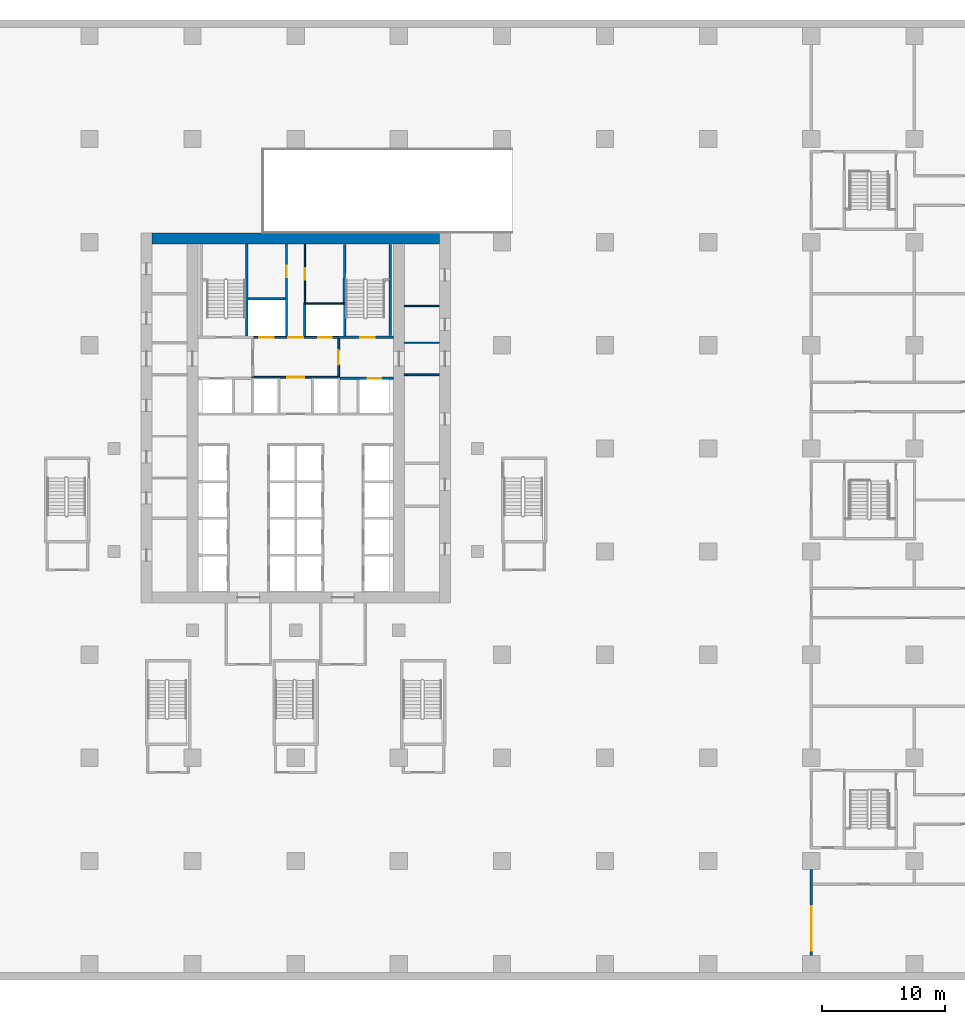
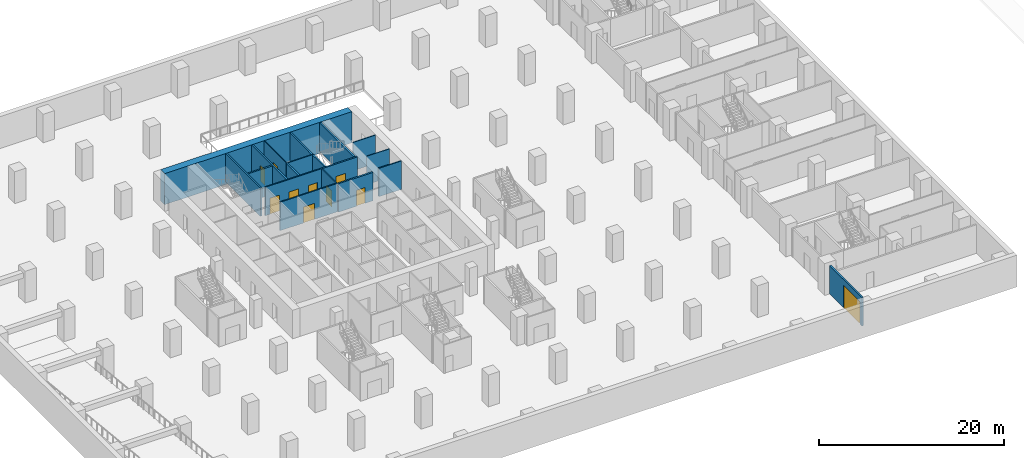
# One storey, part 7 of 17: 19 walls, 10 doors, 10 openings.
"""IFC4 building model written with IfcOpenShell, lengths in metres."""

from ifc_helpers import new_model, si_unit, direction, frame, frame_2d, origin, place, context, subcontext, project, spatial, rectangle, extrude, material, layer, layer_set, type_object, element, fill, save


model = new_model("IFC4")

# Units and contexts
model_context = context("Model", 3, precision=1e-05, world=origin(), true_north=direction((0.0, 1.0)))
body_context = subcontext(model_context, "Body", "Model", "MODEL_VIEW")
ifc_project = project(units=[si_unit("LENGTHUNIT", "METRE"), si_unit("AREAUNIT", "SQUARE_METRE"), si_unit("VOLUMEUNIT", "CUBIC_METRE"), si_unit("PLANEANGLEUNIT", "RADIAN"), si_unit("MASSUNIT", "GRAM", prefix="KILO")], contexts=[model_context])

# Site, building, storey
site_placement = place(None, origin())
site = spatial("IfcSite", under=ifc_project, at=site_placement, CompositionType="ELEMENT")
building_placement = place(site_placement, origin())
building = spatial("IfcBuilding", under=site, at=building_placement, Name="Vermilion Ogive Tower", CompositionType="ELEMENT")
storey_placement = place(building_placement, frame((0.0, 0.0, -4.199951171875)))
storey = spatial("IfcBuildingStorey", under=building, at=storey_placement, Name="B1", CompositionType="ELEMENT", Elevation=-4.199951171875)

# Wall
ifc_material_1 = material(Name="Gypsum board partition on steel studs", Category="steel")
ifc_layer_1 = layer(ifc_material_1, 0.10009765625)
ifc_layer_set_1 = layer_set([ifc_layer_1], Name="Partition 100 bath")
wall_type_1 = type_object("IfcWallType", Name="Partition 100 bath", PredefinedType="PARTITIONING", material=ifc_layer_set_1)
wall_1_placement = place(storey_placement, frame((0.64990234375, 16.0, 0.0), z_axis=(0.0, 0.0, 1.0), x_axis=(1.0, 0.0, 0.0)))
element("IfcWall", 1, at=wall_1_placement, inside=storey, type_object=wall_type_1, Name="B1-CK-W-W020", PredefinedType="PARTITIONING", context=body_context, shape_type="SweptSolid", body=[
    extrude(rectangle(XDim=3.4501953125, YDim=0.10009765625, at=frame_2d((1.72509765625, 0.0))), origin(), (0.0, 0.0, 1.0), 3.75),
])

# Wall, opening, door
wall_2_placement = place(storey_placement, frame((0.75, 16.050048828125, 0.0), z_axis=(0.0, 0.0, 1.0), x_axis=(0.0, 1.0, 0.0)))
wall_2 = element("IfcWall", 2, at=wall_2_placement, inside=storey, type_object=wall_type_1, Name="B1-CK-W-W032", PredefinedType="PARTITIONING", context=body_context, shape_type="SweptSolid", body=[
    extrude(rectangle(XDim=4.799072265625, YDim=0.10009765625, at=frame_2d((2.3994140625, 0.0))), origin(), (0.0, 0.0, 1.0), 3.75),
])
opening_1_placement = place(wall_2_placement, frame((1.875, 0.0, 0.0)))
opening_1 = element("IfcOpeningElement", 3, at=opening_1_placement, cuts=wall_2, Name="Opening DAG007", PredefinedType="OPENING", context=body_context, shape_type="SweptSolid", body=[
    extrude(rectangle(XDim=0.949951171875, YDim=2.10009765625, at=frame_2d((0.47509765625, 1.050048828125))), frame((0.0, 0.06005859375, 0.0), z_axis=(0.0, -1.0, 0.0), x_axis=(1.0, 0.0, 0.0)), (0.0, 0.0, 1.0), 0.1201171875),
])
ifc_material_2 = material(Name="Timber door leaf", Category="wood")
door_type_1 = type_object("IfcDoorType", Name="Service door 950 x 2100 FD60", OperationType="SINGLE_SWING_LEFT", PredefinedType="DOOR", material=ifc_material_2)
door_1_placement = place(opening_1_placement, origin())
door_1 = element("IfcDoor", 4, at=door_1_placement, inside=storey, type_object=door_type_1, Name="B1-CK-D-D027", OperationType="SINGLE_SWING_LEFT", OverallHeight=2.10009765625, OverallWidth=0.949951171875, PredefinedType="DOOR", context=body_context, shape_type="SweptSolid", body=[
    extrude(rectangle(XDim=0.949951171875, YDim=2.10009765625, at=frame_2d((0.47509765625, 1.050048828125))), frame((0.0, 0.02490234375, 0.0), z_axis=(0.0, -1.0, 0.0), x_axis=(1.0, 0.0, 0.0)), (0.0, 0.0, 1.0), 0.050048828125),
])
fill(opening_1, door_1)

# Walls
for number, where, z_axis, x_axis, name in (
    (5, (8.85107421875, 12.800048828125, 0.0), (0.0, 0.0, 1.0), (1.0, 0.0, 0.0), "B1-CKE-W-W004"),
    (6, (8.85107421875, 15.800048828125, 0.0), (0.0, 0.0, 1.0), (1.0, 0.0, 0.0), "B1-CKE-W-W005"),
):
    element("IfcWall", number, at=place(storey_placement, frame(where, z_axis=z_axis, x_axis=x_axis)), inside=storey, type_object=wall_type_1, Name=name, PredefinedType="PARTITIONING", context=body_context, shape_type="SweptSolid", body=[
        extrude(rectangle(XDim=2.847900390625, YDim=0.10009765625, at=frame_2d((1.423828125, 0.0))), origin(), (0.0, 0.0, 1.0), 3.75),
    ])

# Wall, opening, door
ifc_material_3 = material(Name="Gypsum board partition on steel studs", Category="steel")
ifc_layer_2 = layer(ifc_material_3, 0.14990234375)
ifc_layer_set_2 = layer_set([ifc_layer_2], Name="Partition 150 corridor")
wall_type_2 = type_object("IfcWallType", Name="Partition 150 corridor", PredefinedType="PARTITIONING", material=ifc_layer_set_2)
wall_3_placement = place(storey_placement, frame((-3.60009765625, 10.0, 0.0), z_axis=(0.0, 0.0, 1.0), x_axis=(1.0, 0.0, 0.0)))
wall_3 = element("IfcWall", 7, at=wall_3_placement, inside=storey, type_object=wall_type_2, Name="B1-CK-W-W016", PredefinedType="PARTITIONING", context=body_context, shape_type="SweptSolid", body=[
    extrude(rectangle(XDim=7.2001953125, YDim=0.14990234375, at=frame_2d((3.60009765625, 0.0))), origin(), (0.0, 0.0, 1.0), 3.75),
])
opening_2_placement = place(wall_3_placement, frame((2.900146484375, 0.0, 0.0)))
opening_2 = element("IfcOpeningElement", 8, at=opening_2_placement, cuts=wall_3, Name="Opening DAG004", PredefinedType="OPENING", context=body_context, shape_type="SweptSolid", body=[
    extrude(rectangle(XDim=1.39990234375, YDim=2.10009765625, at=frame_2d((0.699951171875, 1.050048828125))), frame((0.0, 0.0849609375, 0.0), z_axis=(0.0, -1.0, 0.0), x_axis=(1.0, 0.0, 0.0)), (0.0, 0.0, 1.0), 0.169921875),
])
ifc_material_4 = material(Name="Timber door leaf", Category="wood")
door_type_2 = type_object("IfcDoorType", Name="Lobby door 1400 x 2100 FD60S", OperationType="SINGLE_SWING_LEFT", PredefinedType="DOOR", material=ifc_material_4)
door_2_placement = place(opening_2_placement, origin())
door_2 = element("IfcDoor", 9, at=door_2_placement, inside=storey, type_object=door_type_2, Name="B1-CK-D-D022", OperationType="SINGLE_SWING_RIGHT", OverallHeight=2.10009765625, OverallWidth=1.39990234375, PredefinedType="DOOR", context=body_context, shape_type="SweptSolid", body=[
    extrude(rectangle(XDim=1.39990234375, YDim=2.10009765625, at=frame_2d((0.699951171875, 1.050048828125))), frame((0.0, 0.02490234375, 0.0), z_axis=(0.0, -1.0, 0.0), x_axis=(1.0, 0.0, 0.0)), (0.0, 0.0, 1.0), 0.050048828125),
])
fill(opening_2, door_2)

# Wall, openings, doors
wall_4_placement = place(storey_placement, frame((-3.574951171875, 13.25, 0.0), z_axis=(0.0, 0.0, 1.0), x_axis=(1.0, 0.0, 0.0)))
wall_4 = element("IfcWall", 10, at=wall_4_placement, inside=storey, type_object=wall_type_2, Name="B1-CK-W-W018", PredefinedType="PARTITIONING", context=body_context, shape_type="SweptSolid", body=[
    extrude(rectangle(XDim=7.14990234375, YDim=0.14990234375, at=frame_2d((3.574951171875, 0.0))), origin(), (0.0, 0.0, 1.0), 3.75),
])
opening_3_placement = place(wall_4_placement, frame((0.599853515625, 0.0, 0.0)))
opening_3 = element("IfcOpeningElement", 11, at=opening_3_placement, cuts=wall_4, Name="Opening DAG029", PredefinedType="OPENING", context=body_context, shape_type="SweptSolid", body=[
    extrude(rectangle(XDim=1.199951171875, YDim=2.10009765625, at=frame_2d((0.60009765625, 1.050048828125))), frame((0.0, 0.0849609375, 0.0), z_axis=(0.0, -1.0, 0.0), x_axis=(1.0, 0.0, 0.0)), (0.0, 0.0, 1.0), 0.169921875),
])
opening_4_placement = place(wall_4_placement, frame((5.39990234375, 0.0, 0.0)))
opening_4 = element("IfcOpeningElement", 12, at=opening_4_placement, cuts=wall_4, Name="Opening DAG020", PredefinedType="OPENING", context=body_context, shape_type="SweptSolid", body=[
    extrude(rectangle(XDim=1.10009765625, YDim=2.10009765625, at=frame_2d((0.550048828125, 1.050048828125))), frame((0.0, 0.0849609375, 0.0), z_axis=(0.0, -1.0, 0.0), x_axis=(1.0, 0.0, 0.0)), (0.0, 0.0, 1.0), 0.169921875),
])
opening_5_placement = place(wall_4_placement, frame((2.974853515625, 0.0, 0.0)))
opening_5 = element("IfcOpeningElement", 13, at=opening_5_placement, cuts=wall_4, Name="Opening DAG005", PredefinedType="OPENING", context=body_context, shape_type="SweptSolid", body=[
    extrude(rectangle(XDim=1.199951171875, YDim=2.10009765625, at=frame_2d((0.60009765625, 1.050048828125))), frame((0.0, 0.0849609375, 0.0), z_axis=(0.0, -1.0, 0.0), x_axis=(1.0, 0.0, 0.0)), (0.0, 0.0, 1.0), 0.169921875),
])
ifc_material_5 = material(Name="Stainless steel", Category="steel")
door_type_3 = type_object("IfcDoorType", Name="Lift landing door 1100 x 2100", OperationType="SLIDING_TO_LEFT", PredefinedType="DOOR", material=ifc_material_5)
door_3_placement = place(opening_4_placement, origin())
door_3 = element("IfcDoor", 14, at=door_3_placement, inside=storey, type_object=door_type_3, Name="B1-CK-D-D024", OperationType="SLIDING_TO_LEFT", OverallHeight=2.10009765625, OverallWidth=1.10009765625, PredefinedType="DOOR", context=body_context, shape_type="SweptSolid", body=[
    extrude(rectangle(XDim=1.10009765625, YDim=2.10009765625, at=frame_2d((0.550048828125, 1.050048828125))), frame((0.0, 0.02490234375, 0.0), z_axis=(0.0, -1.0, 0.0), x_axis=(1.0, 0.0, 0.0)), (0.0, 0.0, 1.0), 0.050048828125),
])
fill(opening_4, door_3)
ifc_material_6 = material(Name="Stainless steel", Category="steel")
door_type_4 = type_object("IfcDoorType", Name="Lift landing door 1200 x 2100", OperationType="SLIDING_TO_LEFT", PredefinedType="DOOR", material=ifc_material_6)
door_4_placement = place(opening_3_placement, origin())
door_4 = element("IfcDoor", 15, at=door_4_placement, inside=storey, type_object=door_type_4, Name="B1-CK-D-D023", OperationType="SLIDING_TO_RIGHT", OverallHeight=2.10009765625, OverallWidth=1.199951171875, PredefinedType="DOOR", context=body_context, shape_type="SweptSolid", body=[
    extrude(rectangle(XDim=1.199951171875, YDim=2.10009765625, at=frame_2d((0.60009765625, 1.050048828125))), frame((0.0, 0.02490234375, 0.0), z_axis=(0.0, -1.0, 0.0), x_axis=(1.0, 0.0, 0.0)), (0.0, 0.0, 1.0), 0.050048828125),
])
fill(opening_3, door_4)
ifc_material_7 = material(Name="Timber door leaf", Category="wood")
door_type_5 = type_object("IfcDoorType", Name="Service door 1200 x 2100 FD60", OperationType="SINGLE_SWING_LEFT", PredefinedType="DOOR", material=ifc_material_7)
door_5_placement = place(opening_5_placement, origin())
door_5 = element("IfcDoor", 16, at=door_5_placement, inside=storey, type_object=door_type_5, Name="B1-CK-D-D025", OperationType="SINGLE_SWING_RIGHT", OverallHeight=2.10009765625, OverallWidth=1.199951171875, PredefinedType="DOOR", context=body_context, shape_type="SweptSolid", body=[
    extrude(rectangle(XDim=1.199951171875, YDim=2.10009765625, at=frame_2d((0.60009765625, 1.050048828125))), frame((0.0, 0.02490234375, 0.0), z_axis=(0.0, -1.0, 0.0), x_axis=(1.0, 0.0, 0.0)), (0.0, 0.0, 1.0), 0.050048828125),
])
fill(opening_5, door_5)

# Wall, opening, door
wall_5_placement = place(storey_placement, frame((3.5, 10.074951171875, 0.0), z_axis=(0.0, 0.0, 1.0), x_axis=(0.0, 1.0, 0.0)))
wall_5 = element("IfcWall", 17, at=wall_5_placement, inside=storey, type_object=wall_type_2, Name="B1-CK-W-W036", PredefinedType="PARTITIONING", context=body_context, shape_type="SweptSolid", body=[
    extrude(rectangle(XDim=3.074951171875, YDim=0.14990234375, at=frame_2d((1.53759765625, 0.0))), origin(), (0.0, 0.0, 1.0), 3.75),
])
opening_6_placement = place(wall_5_placement, frame((0.925048828125, 0.0, 0.0)))
opening_6 = element("IfcOpeningElement", 18, at=opening_6_placement, cuts=wall_5, Name="Opening DAG002", PredefinedType="OPENING", context=body_context, shape_type="SweptSolid", body=[
    extrude(rectangle(XDim=1.199951171875, YDim=2.10009765625, at=frame_2d((0.60009765625, 1.050048828125))), frame((0.0, 0.0849609375, 0.0), z_axis=(0.0, -1.0, 0.0), x_axis=(1.0, 0.0, 0.0)), (0.0, 0.0, 1.0), 0.169921875),
])
ifc_material_8 = material(Name="Timber door leaf", Category="wood")
door_type_6 = type_object("IfcDoorType", Name="Lobby door 1200 x 2100 FD60S", OperationType="SINGLE_SWING_LEFT", PredefinedType="DOOR", material=ifc_material_8)
door_6_placement = place(opening_6_placement, origin())
door_6 = element("IfcDoor", 19, at=door_6_placement, inside=storey, type_object=door_type_6, Name="B1-CK-D-D029", OperationType="SINGLE_SWING_LEFT", OverallHeight=2.10009765625, OverallWidth=1.199951171875, PredefinedType="DOOR", context=body_context, shape_type="SweptSolid", body=[
    extrude(rectangle(XDim=1.199951171875, YDim=2.10009765625, at=frame_2d((0.60009765625, 1.050048828125))), frame((0.0, 0.02490234375, 0.0), z_axis=(0.0, -1.0, 0.0), x_axis=(1.0, 0.0, 0.0)), (0.0, 0.0, 1.0), 0.050048828125),
])
fill(opening_6, door_6)

# Wall
wall_6_placement = place(storey_placement, frame((8.85107421875, 10.199951171875, 0.0), z_axis=(0.0, 0.0, 1.0), x_axis=(1.0, 0.0, 0.0)))
element("IfcWall", 20, at=wall_6_placement, inside=storey, type_object=wall_type_2, Name="B1-CKE-W-W003", PredefinedType="PARTITIONING", context=body_context, shape_type="SweptSolid", body=[
    extrude(rectangle(XDim=2.847900390625, YDim=0.14990234375, at=frame_2d((1.423828125, 0.0))), origin(), (0.0, 0.0, 1.0), 3.75),
])

# Wall, opening, door
ifc_material_9 = material(Name="Gypsum board partition on steel studs", Category="steel")
ifc_layer_3 = layer(ifc_material_9, 0.199951171875)
ifc_layer_set_3 = layer_set([ifc_layer_3], Name="Partition 200 party")
wall_type_3 = type_object("IfcWallType", Name="Partition 200 party", PredefinedType="PARTITIONING", material=ifc_layer_set_3)
wall_7_placement = place(storey_placement, frame((42.0, -37.10009765625, 0.0), z_axis=(0.0, 0.0, 1.0), x_axis=(0.0, 1.0, 0.0)))
wall_7 = element("IfcWall", 21, at=wall_7_placement, inside=storey, type_object=wall_type_3, Name="B1-PK-W-W052a", PredefinedType="PARTITIONING", context=body_context, shape_type="SweptSolid", body=[
    extrude(rectangle(XDim=7.0, YDim=0.199951171875, at=frame_2d((3.5, 0.0))), origin(), (0.0, 0.0, 1.0), 3.75),
])
opening_7_placement = place(wall_7_placement, frame((0.400146484375, 0.0, 0.0)))
opening_7 = element("IfcOpeningElement", 22, at=opening_7_placement, cuts=wall_7, Name="Opening PK1-34", PredefinedType="OPENING", context=body_context, shape_type="SweptSolid", body=[
    extrude(rectangle(XDim=3.60009765625, YDim=3.0, at=frame_2d((1.800048828125, 1.5))), frame((0.0, 0.10986328125, 0.0), z_axis=(0.0, -1.0, 0.0), x_axis=(1.0, 0.0, 0.0)), (0.0, 0.0, 1.0), 0.219970703125),
])
ifc_material_10 = material(Name="Timber door leaf", Category="wood")
door_type_7 = type_object("IfcDoorType", Name="Dock door 3600 x 3000 FD30", OperationType="DOUBLE_DOOR_SINGLE_SWING", PredefinedType="DOOR", material=ifc_material_10)
door_7_placement = place(opening_7_placement, origin())
door_7 = element("IfcDoor", 23, at=door_7_placement, inside=storey, type_object=door_type_7, Name="B1-PK-D-D034", OperationType="DOUBLE_DOOR_SINGLE_SWING", OverallHeight=3.0, OverallWidth=3.60009765625, PredefinedType="DOOR", context=body_context, shape_type="SweptSolid", body=[
    extrude(rectangle(XDim=3.60009765625, YDim=3.0, at=frame_2d((1.800048828125, 1.5))), frame((0.0, 0.02490234375, 0.0), z_axis=(0.0, -1.0, 0.0), x_axis=(1.0, 0.0, 0.0)), (0.0, 0.0, 1.0), 0.050048828125),
])
fill(opening_7, door_7)

wall_8_placement = place(storey_placement, frame((3.60009765625, 9.89990234375, 0.0), z_axis=(0.0, 0.0, 1.0), x_axis=(1.0, 0.0, 0.0)))
wall_8 = element("IfcWall", 24, at=wall_8_placement, inside=storey, type_object=wall_type_3, Name="B1-CK-W-W015", PredefinedType="PARTITIONING", context=body_context, shape_type="SweptSolid", body=[
    extrude(rectangle(XDim=4.348876953125, YDim=0.199951171875, at=frame_2d((2.17431640625, 0.0))), origin(), (0.0, 0.0, 1.0), 3.75),
])
opening_8_placement = place(wall_8_placement, frame((2.25, 0.0, 0.0)))
opening_8 = element("IfcOpeningElement", 25, at=opening_8_placement, cuts=wall_8, Name="Opening DAG019", PredefinedType="OPENING", context=body_context, shape_type="SweptSolid", body=[
    extrude(rectangle(XDim=1.10009765625, YDim=2.10009765625, at=frame_2d((0.550048828125, 1.050048828125))), frame((0.0, 0.10986328125, 0.0), z_axis=(0.0, -1.0, 0.0), x_axis=(1.0, 0.0, 0.0)), (0.0, 0.0, 1.0), 0.219970703125),
])
door_8_placement = place(opening_8_placement, origin())
door_8 = element("IfcDoor", 26, at=door_8_placement, inside=storey, type_object=door_type_3, Name="B1-CK-D-D020", OperationType="SLIDING_TO_LEFT", OverallHeight=2.10009765625, OverallWidth=1.10009765625, PredefinedType="DOOR", context=body_context, shape_type="SweptSolid", body=[
    extrude(rectangle(XDim=1.10009765625, YDim=2.10009765625, at=frame_2d((0.550048828125, 1.050048828125))), frame((0.0, 0.02490234375, 0.0), z_axis=(0.0, -1.0, 0.0), x_axis=(1.0, 0.0, 0.0)), (0.0, 0.0, 1.0), 0.050048828125),
])
fill(opening_8, door_8)

# Wall
wall_9_placement = place(storey_placement, frame((-3.89990234375, 16.39990234375, 0.0), z_axis=(0.0, 0.0, 1.0), x_axis=(1.0, 0.0, 0.0)))
element("IfcWall", 27, at=wall_9_placement, inside=storey, type_object=wall_type_3, Name="B1-CK-W-W021", PredefinedType="PARTITIONING", context=body_context, shape_type="SweptSolid", body=[
    extrude(rectangle(XDim=3.0498046875, YDim=0.199951171875, at=frame_2d((1.52490234375, 0.0))), origin(), (0.0, 0.0, 1.0), 3.75),
])

# Wall, opening, door
wall_10_placement = place(storey_placement, frame((-0.75, 13.324951171875, 0.0), z_axis=(0.0, 0.0, 1.0), x_axis=(0.0, 1.0, 0.0)))
wall_10 = element("IfcWall", 28, at=wall_10_placement, inside=storey, type_object=wall_type_3, Name="B1-CK-W-W029", PredefinedType="PARTITIONING", context=body_context, shape_type="SweptSolid", body=[
    extrude(rectangle(XDim=7.524169921875, YDim=0.199951171875, at=frame_2d((3.76220703125, 0.0))), origin(), (0.0, 0.0, 1.0), 3.75),
])
opening_9_placement = place(wall_10_placement, frame((4.800048828125, 0.0, 0.0)))
opening_9 = element("IfcOpeningElement", 29, at=opening_9_placement, cuts=wall_10, Name="Opening DAG006", PredefinedType="OPENING", context=body_context, shape_type="SweptSolid", body=[
    extrude(rectangle(XDim=0.949951171875, YDim=2.10009765625, at=frame_2d((0.47509765625, 1.050048828125))), frame((0.0, 0.10986328125, 0.0), z_axis=(0.0, -1.0, 0.0), x_axis=(1.0, 0.0, 0.0)), (0.0, 0.0, 1.0), 0.219970703125),
])
door_9_placement = place(opening_9_placement, origin())
door_9 = element("IfcDoor", 30, at=door_9_placement, inside=storey, type_object=door_type_1, Name="B1-CK-D-D026", OperationType="SINGLE_SWING_RIGHT", OverallHeight=2.10009765625, OverallWidth=0.949951171875, PredefinedType="DOOR", context=body_context, shape_type="SweptSolid", body=[
    extrude(rectangle(XDim=0.949951171875, YDim=2.10009765625, at=frame_2d((0.47509765625, 1.050048828125))), frame((0.0, 0.02490234375, 0.0), z_axis=(0.0, -1.0, 0.0), x_axis=(1.0, 0.0, 0.0)), (0.0, 0.0, 1.0), 0.050048828125),
])
fill(opening_9, door_9)

# Walls
wall_11_placement = place(storey_placement, frame((0.75, 13.324951171875, 0.0), z_axis=(0.0, 0.0, 1.0), x_axis=(0.0, 1.0, 0.0)))
element("IfcWall", 31, at=wall_11_placement, inside=storey, type_object=wall_type_3, Name="B1-CK-W-W031", PredefinedType="PARTITIONING", context=body_context, shape_type="SweptSolid", body=[
    extrude(rectangle(XDim=2.625, YDim=0.199951171875, at=frame_2d((1.3125, 0.0))), origin(), (0.0, 0.0, 1.0), 3.75),
])
ifc_material_11 = material(Name="Concrete B60", Category="concrete")
ifc_layer_4 = layer(ifc_material_11, 0.199951171875)
ifc_layer_set_4 = layer_set([ifc_layer_4], Name="Stair shaft wall 200 Concrete B60")
wall_type_4 = type_object("IfcWallType", Name="Stair shaft wall 200 Concrete B60", PredefinedType="SOLIDWALL", material=ifc_layer_set_4)
wall_12_placement = place(storey_placement, frame((-11.699951171875, 21.300048828125, -0.35009765625), z_axis=(0.0, 0.0, 1.0), x_axis=(1.0, 0.0, 0.0)))
element("IfcWall", 32, at=wall_12_placement, inside=storey, type_object=wall_type_4, Name="B1-CORE-N", PredefinedType="SOLIDWALL", context=body_context, shape_type="SweptSolid", body=[
    extrude(rectangle(XDim=23.39990234375, YDim=0.89990234375, at=frame_2d((11.699951171875, 0.0))), origin(), (0.0, 0.0, 1.0), 4.10009765625),
])

# Wall, opening, door
wall_13_placement = place(storey_placement, frame((3.425048828125, 13.25, 0.0), z_axis=(0.0, 0.0, 1.0), x_axis=(1.0, 0.0, 0.0)))
wall_13 = element("IfcWall", 33, at=wall_13_placement, inside=storey, type_object=wall_type_4, Name="B1-CK-W-W019", PredefinedType="SOLIDWALL", context=body_context, shape_type="SweptSolid", body=[
    extrude(rectangle(XDim=4.52392578125, YDim=0.199951171875, at=frame_2d((2.261962890625, 0.0))), origin(), (0.0, 0.0, 1.0), 3.75),
])
opening_10_placement = place(wall_13_placement, frame((1.824951171875, 0.0, 0.0)))
opening_10 = element("IfcOpeningElement", 34, at=opening_10_placement, cuts=wall_13, Name="Opening DAG009", PredefinedType="OPENING", context=body_context, shape_type="SweptSolid", body=[
    extrude(rectangle(XDim=1.199951171875, YDim=2.10009765625, at=frame_2d((0.60009765625, 1.050048828125))), frame((0.0, 0.10986328125, 0.0), z_axis=(0.0, -1.0, 0.0), x_axis=(1.0, 0.0, 0.0)), (0.0, 0.0, 1.0), 0.219970703125),
])
ifc_material_12 = material(Name="Timber door leaf", Category="wood")
door_type_8 = type_object("IfcDoorType", Name="Stair door 1200 x 2100 FD60S", OperationType="SINGLE_SWING_LEFT", PredefinedType="DOOR", material=ifc_material_12)
door_10_placement = place(opening_10_placement, origin())
door_10 = element("IfcDoor", 35, at=door_10_placement, inside=storey, type_object=door_type_8, Name="B1-CK-D-D019", OperationType="SINGLE_SWING_RIGHT", OverallHeight=2.10009765625, OverallWidth=1.199951171875, PredefinedType="DOOR", context=body_context, shape_type="SweptSolid", body=[
    extrude(rectangle(XDim=1.199951171875, YDim=2.10009765625, at=frame_2d((0.60009765625, 1.050048828125))), frame((0.0, 0.02490234375, 0.0), z_axis=(0.0, -1.0, 0.0), x_axis=(1.0, 0.0, 0.0)), (0.0, 0.0, 1.0), 0.050048828125),
])
fill(opening_10, door_10)

# Walls
wall_14_placement = place(storey_placement, frame((-4.0, 13.35009765625, 0.0), z_axis=(0.0, 0.0, 1.0), x_axis=(0.0, 1.0, 0.0)))
element("IfcWall", 36, at=wall_14_placement, inside=storey, type_object=wall_type_4, Name="B1-CK-W-W024", PredefinedType="SOLIDWALL", context=body_context, shape_type="SweptSolid", body=[
    extrude(rectangle(XDim=7.4990234375, YDim=0.199951171875, at=frame_2d((3.74951171875, 0.0))), origin(), (0.0, 0.0, 1.0), 3.75),
])
wall_15_placement = place(storey_placement, frame((4.0, 13.35009765625, 0.0), z_axis=(0.0, 0.0, 1.0), x_axis=(0.0, 1.0, 0.0)))
element("IfcWall", 37, at=wall_15_placement, inside=storey, type_object=wall_type_4, Name="B1-CK-W-W037", PredefinedType="SOLIDWALL", context=body_context, shape_type="SweptSolid", body=[
    extrude(rectangle(XDim=2.599853515625, YDim=0.199951171875, at=frame_2d((1.2998046875, 0.0))), origin(), (0.0, 0.0, 1.0), 3.75),
])
wall_16_placement = place(storey_placement, frame((3.949951171875, 16.050048828125, 0.0), z_axis=(0.0, 0.0, 1.0), x_axis=(0.010538176883, 0.999944471872, 0.0)))
element("IfcWall", 38, at=wall_16_placement, inside=storey, type_object=wall_type_4, Name="B1-CK-W-W038", PredefinedType="SOLIDWALL", context=body_context, shape_type="SweptSolid", body=[
    extrude(rectangle(XDim=4.749267578125, YDim=0.199951171875, at=frame_2d((2.37451171875, 0.0))), origin(), (0.0, 0.0, 1.0), 3.75),
])
wall_17_placement = place(storey_placement, frame((7.699951171875, 13.39990234375, 0.0), z_axis=(0.0, 0.0, 1.0), x_axis=(0.0, 1.0, 0.0)))
element("IfcWall", 39, at=wall_17_placement, inside=storey, type_object=wall_type_4, Name="B1-SW-R026-E1", PredefinedType="SOLIDWALL", context=body_context, shape_type="SweptSolid", body=[
    extrude(rectangle(XDim=7.400146484375, YDim=0.199951171875, at=frame_2d((3.7001953125, 0.0))), origin(), (0.0, 0.0, 1.0), 3.75),
])

save(model, "model.ifc")
